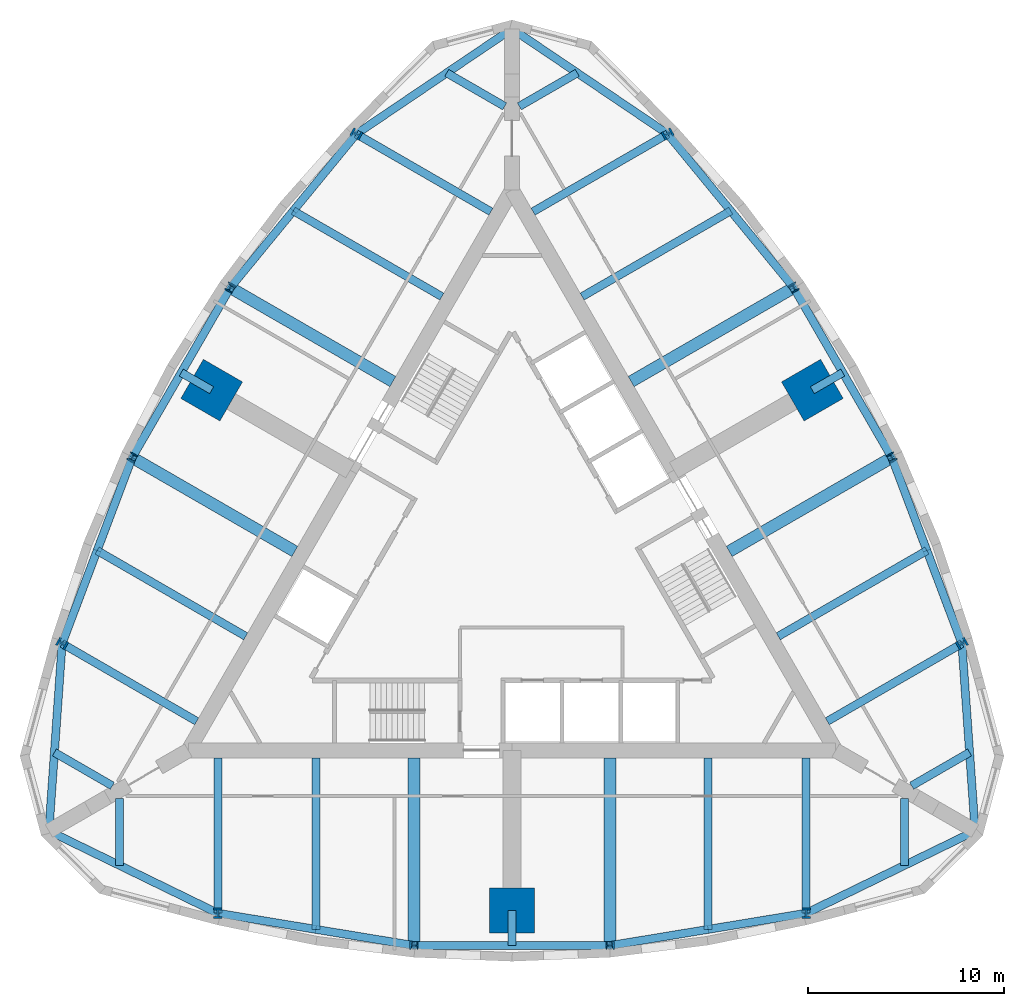
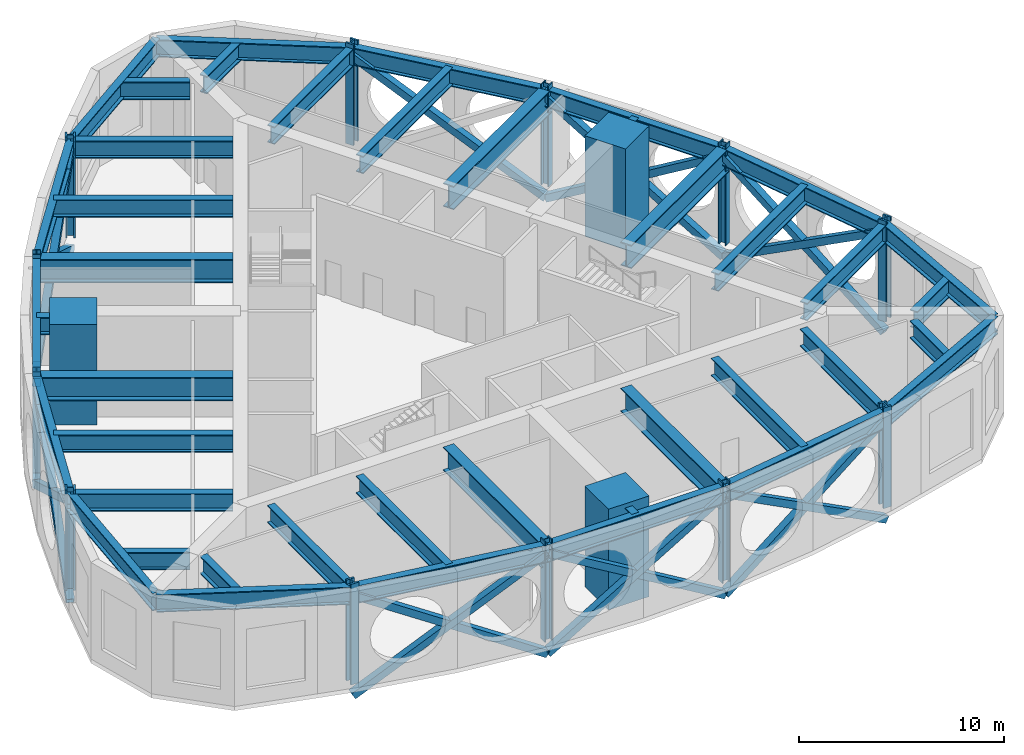
# One storey, part 1 of 7: 42 beams, 17 members, 15 columns.
"""IFC4 building model written with IfcOpenShell, lengths in metres."""

from ifc_helpers import new_model, si_unit, direction, frame, origin, origin_2d, place, context, subcontext, project, spatial, rectangle, hollow_rectangle, i_section, extrude, material, material_profile, profile_set, type_object, element, save


model = new_model("IFC4")

# Units and contexts
model_context = context("Model", 3, precision=1e-05, world=origin(), true_north=direction((0.0, 1.0)))
body_context = subcontext(model_context, "Body", "Model", "MODEL_VIEW")
ifc_project = project(units=[si_unit("LENGTHUNIT", "METRE"), si_unit("AREAUNIT", "SQUARE_METRE"), si_unit("VOLUMEUNIT", "CUBIC_METRE"), si_unit("PLANEANGLEUNIT", "RADIAN"), si_unit("MASSUNIT", "GRAM", prefix="KILO")], contexts=[model_context])

# Site, building, storey
site_placement = place(None, origin())
site = spatial("IfcSite", under=ifc_project, at=site_placement, CompositionType="ELEMENT")
building_placement = place(site_placement, origin())
building = spatial("IfcBuilding", under=site, at=building_placement, Name="Trikona Tower", CompositionType="ELEMENT")
storey_placement = place(building_placement, frame((0.0, 0.0, 233.300048828125)))
storey = spatial("IfcBuildingStorey", under=building, at=storey_placement, Name="L62", CompositionType="ELEMENT", Elevation=233.300048828125)

# Columns
ifc_material_1 = material(Name="Concrete f'c 10000 psi with encased steel section", Category="concrete")
ifc_material_profile_1 = material_profile(ifc_material_1, rectangle(XDim=2.300048828125, YDim=2.300048828125, at=origin_2d()), Name="MC2300")
ifc_profile_set_1 = profile_set([ifc_material_profile_1], Name="Concrete f'c 10000 psi with encased steel section")
column_type_1 = type_object("IfcColumnType", Name="Composite mega column 2300x2300", PredefinedType="COLUMN", material=ifc_profile_set_1)
for number, where, z_axis, x_axis, name in (
    (1, (0.0, -17.680419921875, 0.0), (0.0, 0.0, 1.0), (0.0, -1.0, 0.0), "Mega column MC1"),
    (2, (15.311767578125, 8.84033203125, 0.0), (0.0, 0.0, 1.0), (0.866025403784, 0.5, 0.0), "Mega column MC2"),
    (3, (-15.311767578125, 8.84033203125, 0.0), (0.0, 0.0, 1.0), (-0.866025403784, 0.5, 0.0), "Mega column MC3"),
):
    element("IfcColumn", number, at=place(storey_placement, frame(where, z_axis=z_axis, x_axis=x_axis)), inside=storey, type_object=column_type_1, Name=name, PredefinedType="COLUMN", context=body_context, shape_type="SweptSolid", body=[
        extrude(rectangle(XDim=2.300048828125, YDim=2.300048828125, at=origin_2d()), origin(), (0.0, 0.0, 1.0), 6.0),
    ])
ifc_material_2 = material(Name="Steel ASTM A992 Grade 50", Category="steel")
ifc_material_profile_2 = material_profile(ifc_material_2, i_section(OverallWidth=0.411376953125, OverallDepth=0.434326171875, WebThickness=0.035888671875, FlangeThickness=0.057373046875, at=origin_2d()), Name="W14X311")
ifc_profile_set_2 = profile_set([ifc_material_profile_2], Name="Steel ASTM A992 Grade 50")
column_type_2 = type_object("IfcColumnType", Name="Steel column W14x311", PredefinedType="COLUMN", material=ifc_profile_set_2)
for number, where, z_axis, x_axis, name in (
    (4, (-5.0, -19.471923828125, 0.0), (0.0, 0.0, 1.0), (0.0, -1.0, 0.0), "Column F0m5"),
    (5, (5.0, -19.471923828125, 0.0), (0.0, 0.0, 1.0), (0.0, -1.0, 0.0), "Column F0p5"),
    (6, (19.36328125, 5.406005859375, 0.0), (0.0, 0.0, 1.0), (0.866025403784, 0.5, 0.0), "Column F1m5"),
    (7, (14.36328125, 14.066162109375, 0.0), (0.0, 0.0, 1.0), (0.866025403784, 0.5, 0.0), "Column F1p5"),
    (8, (-14.36328125, 14.066162109375, 0.0), (0.0, 0.0, 1.0), (-0.866025403784, 0.5, 0.0), "Column F2m5"),
    (9, (-19.36328125, 5.406005859375, 0.0), (0.0, 0.0, 1.0), (-0.866025403784, 0.5, 0.0), "Column F2p5"),
):
    element("IfcColumn", number, at=place(storey_placement, frame(where, z_axis=z_axis, x_axis=x_axis)), inside=storey, type_object=column_type_2, Name=name, PredefinedType="COLUMN", context=body_context, shape_type="SweptSolid", body=[
        extrude(i_section(OverallWidth=0.411376953125, OverallDepth=0.434326171875, WebThickness=0.035888671875, FlangeThickness=0.057373046875, at=origin_2d()), origin(), (0.0, 0.0, 1.0), 6.0),
    ])
ifc_material_3 = material(Name="Steel ASTM A992 Grade 50", Category="steel")
ifc_material_profile_3 = material_profile(ifc_material_3, i_section(OverallWidth=0.44189453125, OverallDepth=0.53076171875, WebThickness=0.06591796875, FlangeThickness=0.105712890625, at=origin_2d()), Name="W14X605")
ifc_profile_set_3 = profile_set([ifc_material_profile_3], Name="Steel ASTM A992 Grade 50")
column_type_3 = type_object("IfcColumnType", Name="Steel column W14x605", PredefinedType="COLUMN", material=ifc_profile_set_3)
for number, where, z_axis, x_axis, name in (
    (10, (-15.0, -17.824951171875, 0.0), (0.0, 0.0, 1.0), (1.0, 0.0, 0.0), "Column F0m15"),
    (11, (15.0, -17.824951171875, 0.0), (0.0, 0.0, 1.0), (1.0, 0.0, 0.0), "Column F0p15"),
    (12, (22.936767578125, -4.077880859375, 0.0), (0.0, 0.0, 1.0), (-0.5, 0.866025403784, 0.0), "Column F1m15"),
    (13, (7.936767578125, 21.90283203125, 0.0), (0.0, 0.0, 1.0), (-0.5, 0.866025403784, 0.0), "Column F1p15"),
    (14, (-7.936767578125, 21.90283203125, 0.0), (0.0, 0.0, 1.0), (-0.5, -0.866025403784, 0.0), "Column F2m15"),
    (15, (-22.936767578125, -4.077880859375, 0.0), (0.0, 0.0, 1.0), (-0.5, -0.866025403784, 0.0), "Column F2p15"),
):
    element("IfcColumn", number, at=place(storey_placement, frame(where, z_axis=z_axis, x_axis=x_axis)), inside=storey, type_object=column_type_3, Name=name, PredefinedType="COLUMN", context=body_context, shape_type="SweptSolid", body=[
        extrude(i_section(OverallWidth=0.44189453125, OverallDepth=0.53076171875, WebThickness=0.06591796875, FlangeThickness=0.105712890625, at=origin_2d()), origin(), (0.0, 0.0, 1.0), 6.0),
    ])

# Members
ifc_material_4 = material(Name="Steel ASTM A500 Grade C", Category="steel")
ifc_material_profile_4 = material_profile(ifc_material_4, hollow_rectangle(XDim=0.406494140625, YDim=0.406494140625, WallThickness=0.0146484375, at=origin_2d()), Name="HSS16X16X5/8")
ifc_profile_set_4 = profile_set([ifc_material_profile_4], Name="Steel ASTM A500 Grade C")
member_type = type_object("IfcMemberType", Name="Belt truss diagonal HSS16x16x5/8", PredefinedType="BRACE", material=ifc_profile_set_4)
for number, where, z_axis, x_axis, name in (
    (16, (-15.0, -17.824951171875, -0.770751953125), (0.849067408619, -0.139839080531, 0.509440445172), (0.162507982575, 0.986707228918, 0.0), "Belt truss diagonal L62 F1-2a"),
    (17, (-5.0, -19.471923828125, -0.770751953125), (-0.849067408619, 0.139839080531, 0.509440445172), (-0.162507982575, -0.986707228918, 0.0), "Belt truss diagonal L62 F1-2b"),
):
    element("IfcMember", number, at=place(storey_placement, frame(where, z_axis=z_axis, x_axis=x_axis)), inside=storey, type_object=member_type, Name=name, PredefinedType="BRACE", context=body_context, shape_type="SweptSolid", body=[
        extrude(hollow_rectangle(XDim=0.406494140625, YDim=0.406494140625, WallThickness=0.0146484375, at=origin_2d()), origin(), (0.0, 0.0, 1.0), 11.777587890625),
    ])
for number, where, z_axis, x_axis, name in (
    (18, (-5.0, -19.471923828125, -0.770751953125), (0.857492925713, 0.0, 0.514495755428), (0.0, 1.0, 0.0), "Belt truss diagonal L62 F1-3a"),
    (19, (5.0, -19.471923828125, -0.770751953125), (-0.857492925713, 0.0, 0.514495755428), (0.0, -1.0, 0.0), "Belt truss diagonal L62 F1-3b"),
):
    element("IfcMember", number, at=place(storey_placement, frame(where, z_axis=z_axis, x_axis=x_axis)), inside=storey, type_object=member_type, Name=name, PredefinedType="BRACE", context=body_context, shape_type="SweptSolid", body=[
        extrude(hollow_rectangle(XDim=0.406494140625, YDim=0.406494140625, WallThickness=0.0146484375, at=origin_2d()), origin(), (0.0, 0.0, 1.0), 11.661865234375),
    ])
for number, where, z_axis, x_axis, name in (
    (20, (5.0, -19.471923828125, -0.770751953125), (0.849067408619, 0.139839080531, 0.509440445172), (-0.162507982575, 0.986707228918, 0.0), "Belt truss diagonal L62 F1-4a"),
    (21, (15.0, -17.824951171875, -0.770751953125), (-0.849067408619, -0.139839080531, 0.509440445172), (0.162507982575, -0.986707228918, 0.0), "Belt truss diagonal L62 F1-4b"),
    (22, (22.936767578125, -4.077880859375, -0.770751953125), (-0.303411554265, 0.805241869029, 0.509437887383), (-0.935775613283, -0.352596088442, 0.0), "Belt truss diagonal L62 F2-2a"),
    (23, (19.36328125, 5.406005859375, -0.770751953125), (0.303411554265, -0.805241869029, 0.509437887383), (0.935775613283, 0.352596088442, 0.0), "Belt truss diagonal L62 F2-2b"),
):
    element("IfcMember", number, at=place(storey_placement, frame(where, z_axis=z_axis, x_axis=x_axis)), inside=storey, type_object=member_type, Name=name, PredefinedType="BRACE", context=body_context, shape_type="SweptSolid", body=[
        extrude(hollow_rectangle(XDim=0.406494140625, YDim=0.406494140625, WallThickness=0.0146484375, at=origin_2d()), origin(), (0.0, 0.0, 1.0), 11.777587890625),
    ])
for number, where, z_axis, x_axis, name in (
    (24, (19.36328125, 5.406005859375, -0.770751953125), (-0.428749132656, 0.742606896171, 0.514498959188), (-0.866022959057, -0.500004234368, 0.0), "Belt truss diagonal L62 F2-3a"),
    (25, (14.36328125, 14.066162109375, -0.770751953125), (0.428749132656, -0.742606896171, 0.514498959188), (0.866022959057, 0.500004234368, 0.0), "Belt truss diagonal L62 F2-3b"),
):
    element("IfcMember", number, at=place(storey_placement, frame(where, z_axis=z_axis, x_axis=x_axis)), inside=storey, type_object=member_type, Name=name, PredefinedType="BRACE", context=body_context, shape_type="SweptSolid", body=[
        extrude(hollow_rectangle(XDim=0.406494140625, YDim=0.406494140625, WallThickness=0.0146484375, at=origin_2d()), origin(), (0.0, 0.0, 1.0), 11.661865234375),
    ])
for number, where, z_axis, x_axis, name in (
    (26, (14.36328125, 14.066162109375, -0.770751953125), (-0.545652453615, 0.665383812961, 0.5094386924), (-0.77324629337, -0.634105803308, 0.0), "Belt truss diagonal L62 F2-4a"),
    (27, (-7.936767578125, 21.90283203125, -0.770751953125), (-0.545652453615, -0.665383812961, 0.5094386924), (0.77324629337, -0.634105803308, 0.0), "Belt truss diagonal L62 F3-2a"),
    (28, (-14.36328125, 14.066162109375, -0.770751953125), (0.545652453615, 0.665383812961, 0.5094386924), (-0.77324629337, 0.634105803308, 0.0), "Belt truss diagonal L62 F3-2b"),
):
    element("IfcMember", number, at=place(storey_placement, frame(where, z_axis=z_axis, x_axis=x_axis)), inside=storey, type_object=member_type, Name=name, PredefinedType="BRACE", context=body_context, shape_type="SweptSolid", body=[
        extrude(hollow_rectangle(XDim=0.406494140625, YDim=0.406494140625, WallThickness=0.0146484375, at=origin_2d()), origin(), (0.0, 0.0, 1.0), 11.777587890625),
    ])
for number, where, z_axis, x_axis, name in (
    (29, (-14.36328125, 14.066162109375, -0.770751953125), (-0.428749132656, -0.742606896171, 0.514498959188), (0.866022959057, -0.500004234368, 0.0), "Belt truss diagonal L62 F3-3a"),
    (30, (-19.36328125, 5.406005859375, -0.770751953125), (0.428749132656, 0.742606896171, 0.514498959188), (-0.866022959057, 0.500004234368, 0.0), "Belt truss diagonal L62 F3-3b"),
):
    element("IfcMember", number, at=place(storey_placement, frame(where, z_axis=z_axis, x_axis=x_axis)), inside=storey, type_object=member_type, Name=name, PredefinedType="BRACE", context=body_context, shape_type="SweptSolid", body=[
        extrude(hollow_rectangle(XDim=0.406494140625, YDim=0.406494140625, WallThickness=0.0146484375, at=origin_2d()), origin(), (0.0, 0.0, 1.0), 11.661865234375),
    ])
for number, where, z_axis, x_axis, name in (
    (31, (-19.36328125, 5.406005859375, -0.770751953125), (-0.303411554265, -0.805241869029, 0.509437887383), (0.935775613283, -0.352596088442, 0.0), "Belt truss diagonal L62 F3-4a"),
    (32, (-22.936767578125, -4.077880859375, -0.770751953125), (0.303411554265, 0.805241869029, 0.509437887383), (-0.935775613283, 0.352596088442, 0.0), "Belt truss diagonal L62 F3-4b"),
):
    element("IfcMember", number, at=place(storey_placement, frame(where, z_axis=z_axis, x_axis=x_axis)), inside=storey, type_object=member_type, Name=name, PredefinedType="BRACE", context=body_context, shape_type="SweptSolid", body=[
        extrude(hollow_rectangle(XDim=0.406494140625, YDim=0.406494140625, WallThickness=0.0146484375, at=origin_2d()), origin(), (0.0, 0.0, 1.0), 11.777587890625),
    ])

# Beams
ifc_material_5 = material(Name="Steel ASTM A992 Grade 50", Category="steel")
ifc_material_profile_5 = material_profile(ifc_material_5, i_section(OverallWidth=0.60009765625, OverallDepth=1.39990234375, WebThickness=0.044921875, FlangeThickness=0.06005859375, at=origin_2d()), Name="PG1400X600")
ifc_profile_set_5 = profile_set([ifc_material_profile_5], Name="Steel ASTM A992 Grade 50")
beam_type_1 = type_object("IfcBeamType", Name="Steel beam PG1400x600 (transfer)", PredefinedType="USERDEFINED", material=ifc_profile_set_5)
for number, where, z_axis, x_axis, name in (
    (33, (-5.0, -9.9013671875, 5.050048828125), (0.0, -1.0, 0.0), (1.0, 0.0, 0.0), "Transfer girder L63 F1 u-5"),
    (34, (5.0, -9.9013671875, 5.050048828125), (0.0, -1.0, 0.0), (1.0, 0.0, 0.0), "Transfer girder L63 F1 u5"),
):
    element("IfcBeam", number, at=place(storey_placement, frame(where, z_axis=z_axis, x_axis=x_axis)), inside=storey, type_object=beam_type_1, Name=name, ObjectType="TRANSFER GIRDER", PredefinedType="USERDEFINED", context=body_context, shape_type="SweptSolid", body=[
        extrude(i_section(OverallWidth=0.60009765625, OverallDepth=1.39990234375, WebThickness=0.044921875, FlangeThickness=0.06005859375, at=origin_2d()), origin(), (0.0, 0.0, 1.0), 9.570556640625),
    ])
for number, where, z_axis, x_axis, name in (
    (35, (11.07470703125, 0.62060546875, 5.050048828125), (0.866025863714, 0.499999203377, 0.0), (-0.499999203377, 0.866025863714, 0.0), "Transfer girder L63 F2 u-5"),
    (36, (6.07470703125, 9.28076171875, 5.050048828125), (0.866025863714, 0.499999203377, 0.0), (-0.499999203377, 0.866025863714, 0.0), "Transfer girder L63 F2 u5"),
    (37, (-6.07470703125, 9.28076171875, 5.050048828125), (-0.866025863714, 0.499999203377, 0.0), (-0.499999203377, -0.866025863714, 0.0), "Transfer girder L63 F3 u-5"),
    (38, (-11.07470703125, 0.62060546875, 5.050048828125), (-0.866025863714, 0.499999203377, 0.0), (-0.499999203377, -0.866025863714, 0.0), "Transfer girder L63 F3 u5"),
):
    element("IfcBeam", number, at=place(storey_placement, frame(where, z_axis=z_axis, x_axis=x_axis)), inside=storey, type_object=beam_type_1, Name=name, ObjectType="TRANSFER GIRDER", PredefinedType="USERDEFINED", context=body_context, shape_type="SweptSolid", body=[
        extrude(i_section(OverallWidth=0.60009765625, OverallDepth=1.39990234375, WebThickness=0.044921875, FlangeThickness=0.06005859375, at=origin_2d()), origin(), (0.0, 0.0, 1.0), 9.57080078125),
    ])
ifc_material_6 = material(Name="Steel ASTM A992 Grade 50", Category="steel")
ifc_material_profile_6 = material_profile(ifc_material_6, i_section(OverallWidth=0.408935546875, OverallDepth=1.04150390625, WebThickness=0.031005859375, FlangeThickness=0.055908203125, at=origin_2d()), Name="W40X397")
ifc_profile_set_6 = profile_set([ifc_material_profile_6], Name="Steel ASTM A992 Grade 50")
beam_type_2 = type_object("IfcBeamType", Name="Steel beam W40x397 (plant spandrel)", PredefinedType="SPANDREL", material=ifc_profile_set_6)
beam_1_placement = place(storey_placement, frame((-23.6103515625, -13.63134765625, 5.229248046875), z_axis=(0.899038503257, -0.437869580652, 0.0), x_axis=(0.437869580652, 0.899038503257, 0.0)))
element("IfcBeam", 39, at=beam_1_placement, inside=storey, type_object=beam_type_2, Name="Spandrel beam L63 F1-1", PredefinedType="SPANDREL", context=body_context, shape_type="SweptSolid", body=[
    extrude(i_section(OverallWidth=0.408935546875, OverallDepth=1.04150390625, WebThickness=0.031005859375, FlangeThickness=0.055908203125, at=origin_2d()), origin(), (0.0, 0.0, 1.0), 9.577392578125),
])
beam_2_placement = place(storey_placement, frame((-15.0, -17.824951171875, 5.229248046875), z_axis=(0.986707228918, -0.162507982575, 0.0), x_axis=(0.162507982575, 0.986707228918, 0.0)))
element("IfcBeam", 40, at=beam_2_placement, inside=storey, type_object=beam_type_2, Name="Spandrel beam L63 F1-2", PredefinedType="SPANDREL", context=body_context, shape_type="SweptSolid", body=[
    extrude(i_section(OverallWidth=0.408935546875, OverallDepth=1.04150390625, WebThickness=0.031005859375, FlangeThickness=0.055908203125, at=origin_2d()), origin(), (0.0, 0.0, 1.0), 10.134765625),
])
beam_3_placement = place(storey_placement, frame((-5.0, -19.471923828125, 5.229248046875), z_axis=(1.0, 0.0, 0.0), x_axis=(0.0, 1.0, 0.0)))
element("IfcBeam", 41, at=beam_3_placement, inside=storey, type_object=beam_type_2, Name="Spandrel beam L63 F1-3", PredefinedType="SPANDREL", context=body_context, shape_type="SweptSolid", body=[
    extrude(i_section(OverallWidth=0.408935546875, OverallDepth=1.04150390625, WebThickness=0.031005859375, FlangeThickness=0.055908203125, at=origin_2d()), origin(), (0.0, 0.0, 1.0), 10.0),
])
beam_4_placement = place(storey_placement, frame((5.0, -19.471923828125, 5.229248046875), z_axis=(0.986707228918, 0.162507982575, 0.0), x_axis=(-0.162507982575, 0.986707228918, 0.0)))
element("IfcBeam", 42, at=beam_4_placement, inside=storey, type_object=beam_type_2, Name="Spandrel beam L63 F1-4", PredefinedType="SPANDREL", context=body_context, shape_type="SweptSolid", body=[
    extrude(i_section(OverallWidth=0.408935546875, OverallDepth=1.04150390625, WebThickness=0.031005859375, FlangeThickness=0.055908203125, at=origin_2d()), origin(), (0.0, 0.0, 1.0), 10.134765625),
])
beam_5_placement = place(storey_placement, frame((15.0, -17.824951171875, 5.229248046875), z_axis=(0.899038503257, 0.437869580652, 0.0), x_axis=(-0.437869580652, 0.899038503257, 0.0)))
element("IfcBeam", 43, at=beam_5_placement, inside=storey, type_object=beam_type_2, Name="Spandrel beam L63 F1-5", PredefinedType="SPANDREL", context=body_context, shape_type="SweptSolid", body=[
    extrude(i_section(OverallWidth=0.408935546875, OverallDepth=1.04150390625, WebThickness=0.031005859375, FlangeThickness=0.055908203125, at=origin_2d()), origin(), (0.0, 0.0, 1.0), 9.577392578125),
])
beam_6_placement = place(storey_placement, frame((23.6103515625, -13.63134765625, 5.229248046875), z_axis=(-0.07033215835, 0.997523627541, 0.0), x_axis=(-0.997523627541, -0.07033215835, 0.0)))
element("IfcBeam", 44, at=beam_6_placement, inside=storey, type_object=beam_type_2, Name="Spandrel beam L63 F2-1", PredefinedType="SPANDREL", context=body_context, shape_type="SweptSolid", body=[
    extrude(i_section(OverallWidth=0.408935546875, OverallDepth=1.04150390625, WebThickness=0.031005859375, FlangeThickness=0.055908203125, at=origin_2d()), origin(), (0.0, 0.0, 1.0), 9.5771484375),
])
beam_7_placement = place(storey_placement, frame((22.936767578125, -4.077880859375, 5.229248046875), z_axis=(-0.352596088442, 0.935775613283, 0.0), x_axis=(-0.935775613283, -0.352596088442, 0.0)))
element("IfcBeam", 45, at=beam_7_placement, inside=storey, type_object=beam_type_2, Name="Spandrel beam L63 F2-2", PredefinedType="SPANDREL", context=body_context, shape_type="SweptSolid", body=[
    extrude(i_section(OverallWidth=0.408935546875, OverallDepth=1.04150390625, WebThickness=0.031005859375, FlangeThickness=0.055908203125, at=origin_2d()), origin(), (0.0, 0.0, 1.0), 10.134765625),
])
beam_8_placement = place(storey_placement, frame((19.36328125, 5.406005859375, 5.229248046875), z_axis=(-0.500004234368, 0.866022959057, 0.0), x_axis=(-0.866022959057, -0.500004234368, 0.0)))
element("IfcBeam", 46, at=beam_8_placement, inside=storey, type_object=beam_type_2, Name="Spandrel beam L63 F2-3", PredefinedType="SPANDREL", context=body_context, shape_type="SweptSolid", body=[
    extrude(i_section(OverallWidth=0.408935546875, OverallDepth=1.04150390625, WebThickness=0.031005859375, FlangeThickness=0.055908203125, at=origin_2d()), origin(), (0.0, 0.0, 1.0), 10.0),
])
beam_9_placement = place(storey_placement, frame((14.36328125, 14.066162109375, 5.229248046875), z_axis=(-0.634105803308, 0.77324629337, 0.0), x_axis=(-0.77324629337, -0.634105803308, 0.0)))
element("IfcBeam", 47, at=beam_9_placement, inside=storey, type_object=beam_type_2, Name="Spandrel beam L63 F2-4", PredefinedType="SPANDREL", context=body_context, shape_type="SweptSolid", body=[
    extrude(i_section(OverallWidth=0.408935546875, OverallDepth=1.04150390625, WebThickness=0.031005859375, FlangeThickness=0.055908203125, at=origin_2d()), origin(), (0.0, 0.0, 1.0), 10.134765625),
])
for number, where, z_axis, x_axis, name in (
    (48, (7.936767578125, 21.90283203125, 5.229248046875), (-0.828725418029, 0.55965541319, 0.0), (-0.55965541319, -0.828725418029, 0.0), "Spandrel beam L63 F2-5"),
    (49, (0.0, 27.2626953125, 5.229248046875), (-0.828725418029, -0.55965541319, 0.0), (0.55965541319, -0.828725418029, 0.0), "Spandrel beam L63 F3-1"),
):
    element("IfcBeam", number, at=place(storey_placement, frame(where, z_axis=z_axis, x_axis=x_axis)), inside=storey, type_object=beam_type_2, Name=name, PredefinedType="SPANDREL", context=body_context, shape_type="SweptSolid", body=[
        extrude(i_section(OverallWidth=0.408935546875, OverallDepth=1.04150390625, WebThickness=0.031005859375, FlangeThickness=0.055908203125, at=origin_2d()), origin(), (0.0, 0.0, 1.0), 9.5771484375),
    ])
beam_10_placement = place(storey_placement, frame((-7.936767578125, 21.90283203125, 5.229248046875), z_axis=(-0.634105803308, -0.77324629337, 0.0), x_axis=(0.77324629337, -0.634105803308, 0.0)))
element("IfcBeam", 50, at=beam_10_placement, inside=storey, type_object=beam_type_2, Name="Spandrel beam L63 F3-2", PredefinedType="SPANDREL", context=body_context, shape_type="SweptSolid", body=[
    extrude(i_section(OverallWidth=0.408935546875, OverallDepth=1.04150390625, WebThickness=0.031005859375, FlangeThickness=0.055908203125, at=origin_2d()), origin(), (0.0, 0.0, 1.0), 10.134765625),
])
beam_11_placement = place(storey_placement, frame((-14.36328125, 14.066162109375, 5.229248046875), z_axis=(-0.500004234368, -0.866022959057, 0.0), x_axis=(0.866022959057, -0.500004234368, 0.0)))
element("IfcBeam", 51, at=beam_11_placement, inside=storey, type_object=beam_type_2, Name="Spandrel beam L63 F3-3", PredefinedType="SPANDREL", context=body_context, shape_type="SweptSolid", body=[
    extrude(i_section(OverallWidth=0.408935546875, OverallDepth=1.04150390625, WebThickness=0.031005859375, FlangeThickness=0.055908203125, at=origin_2d()), origin(), (0.0, 0.0, 1.0), 10.0),
])
beam_12_placement = place(storey_placement, frame((-19.36328125, 5.406005859375, 5.229248046875), z_axis=(-0.352596088442, -0.935775613283, 0.0), x_axis=(0.935775613283, -0.352596088442, 0.0)))
element("IfcBeam", 52, at=beam_12_placement, inside=storey, type_object=beam_type_2, Name="Spandrel beam L63 F3-4", PredefinedType="SPANDREL", context=body_context, shape_type="SweptSolid", body=[
    extrude(i_section(OverallWidth=0.408935546875, OverallDepth=1.04150390625, WebThickness=0.031005859375, FlangeThickness=0.055908203125, at=origin_2d()), origin(), (0.0, 0.0, 1.0), 10.134765625),
])
beam_13_placement = place(storey_placement, frame((-22.936767578125, -4.077880859375, 5.229248046875), z_axis=(-0.07033215835, -0.997523627541, 0.0), x_axis=(0.997523627541, -0.07033215835, 0.0)))
element("IfcBeam", 53, at=beam_13_placement, inside=storey, type_object=beam_type_2, Name="Spandrel beam L63 F3-5", PredefinedType="SPANDREL", context=body_context, shape_type="SweptSolid", body=[
    extrude(i_section(OverallWidth=0.408935546875, OverallDepth=1.04150390625, WebThickness=0.031005859375, FlangeThickness=0.055908203125, at=origin_2d()), origin(), (0.0, 0.0, 1.0), 9.5771484375),
])
ifc_material_7 = material(Name="Steel ASTM A992 Grade 50", Category="steel")
ifc_material_profile_7 = material_profile(ifc_material_7, i_section(OverallWidth=0.408935546875, OverallDepth=1.04150390625, WebThickness=0.031005859375, FlangeThickness=0.055908203125, at=origin_2d()), Name="W40X397")
ifc_profile_set_7 = profile_set([ifc_material_profile_7], Name="Steel ASTM A992 Grade 50")
beam_type_3 = type_object("IfcBeamType", Name="Steel beam W40x397 (plant)", PredefinedType="BEAM", material=ifc_profile_set_7)
beam_14_placement = place(storey_placement, frame((-15.0, -9.9013671875, 5.229248046875), z_axis=(0.0, -1.0, 0.0), x_axis=(1.0, 0.0, 0.0)))
element("IfcBeam", 54, at=beam_14_placement, inside=storey, type_object=beam_type_3, Name="Floor beam L63 F1 u-15", PredefinedType="BEAM", context=body_context, shape_type="SweptSolid", body=[
    extrude(i_section(OverallWidth=0.408935546875, OverallDepth=1.04150390625, WebThickness=0.031005859375, FlangeThickness=0.055908203125, at=origin_2d()), origin(), (0.0, 0.0, 1.0), 7.923583984375),
])
beam_15_placement = place(storey_placement, frame((-10.0, -9.9013671875, 5.229248046875), z_axis=(0.0, -1.0, 0.0), x_axis=(1.0, 0.0, 0.0)))
element("IfcBeam", 55, at=beam_15_placement, inside=storey, type_object=beam_type_3, Name="Floor beam L63 F1 u-10", PredefinedType="BEAM", context=body_context, shape_type="SweptSolid", body=[
    extrude(i_section(OverallWidth=0.408935546875, OverallDepth=1.04150390625, WebThickness=0.031005859375, FlangeThickness=0.055908203125, at=origin_2d()), origin(), (0.0, 0.0, 1.0), 8.7470703125),
])
beam_16_placement = place(storey_placement, frame((0.0, -17.680419921875, 5.229248046875), z_axis=(0.0, -1.0, 0.0), x_axis=(1.0, 0.0, 0.0)))
element("IfcBeam", 56, at=beam_16_placement, inside=storey, type_object=beam_type_3, Name="Floor beam L63 F1 u0", PredefinedType="BEAM", context=body_context, shape_type="SweptSolid", body=[
    extrude(i_section(OverallWidth=0.408935546875, OverallDepth=1.04150390625, WebThickness=0.031005859375, FlangeThickness=0.055908203125, at=origin_2d()), origin(), (0.0, 0.0, 1.0), 1.79150390625),
])
beam_17_placement = place(storey_placement, frame((10.0, -9.9013671875, 5.229248046875), z_axis=(0.0, -1.0, 0.0), x_axis=(1.0, 0.0, 0.0)))
element("IfcBeam", 57, at=beam_17_placement, inside=storey, type_object=beam_type_3, Name="Floor beam L63 F1 u10", PredefinedType="BEAM", context=body_context, shape_type="SweptSolid", body=[
    extrude(i_section(OverallWidth=0.408935546875, OverallDepth=1.04150390625, WebThickness=0.031005859375, FlangeThickness=0.055908203125, at=origin_2d()), origin(), (0.0, 0.0, 1.0), 8.7470703125),
])
for number, where, z_axis, x_axis, name in (
    (58, (15.0, -9.9013671875, 5.229248046875), (0.0, -1.0, 0.0), (1.0, 0.0, 0.0), "Floor beam L63 F1 u15"),
    (59, (16.07470703125, -8.039794921875, 5.229248046875), (0.866019853763, 0.500009612796, 0.0), (-0.500009612796, 0.866019853763, 0.0), "Floor beam L63 F2 u-15"),
):
    element("IfcBeam", number, at=place(storey_placement, frame(where, z_axis=z_axis, x_axis=x_axis)), inside=storey, type_object=beam_type_3, Name=name, PredefinedType="BEAM", context=body_context, shape_type="SweptSolid", body=[
        extrude(i_section(OverallWidth=0.408935546875, OverallDepth=1.04150390625, WebThickness=0.031005859375, FlangeThickness=0.055908203125, at=origin_2d()), origin(), (0.0, 0.0, 1.0), 7.923583984375),
    ])
beam_18_placement = place(storey_placement, frame((13.57470703125, -3.709716796875, 5.229248046875), z_axis=(0.866013609749, 0.500020427312, 0.0), x_axis=(-0.500020427312, 0.866013609749, 0.0)))
element("IfcBeam", 60, at=beam_18_placement, inside=storey, type_object=beam_type_3, Name="Floor beam L63 F2 u-10", PredefinedType="BEAM", context=body_context, shape_type="SweptSolid", body=[
    extrude(i_section(OverallWidth=0.408935546875, OverallDepth=1.04150390625, WebThickness=0.031005859375, FlangeThickness=0.055908203125, at=origin_2d()), origin(), (0.0, 0.0, 1.0), 8.747314453125),
])
beam_19_placement = place(storey_placement, frame((15.311767578125, 8.84033203125, 5.229248046875), z_axis=(0.866029000986, 0.499993769413, 0.0), x_axis=(-0.499993769413, 0.866029000986, 0.0)))
element("IfcBeam", 61, at=beam_19_placement, inside=storey, type_object=beam_type_3, Name="Floor beam L63 F2 u0", PredefinedType="BEAM", context=body_context, shape_type="SweptSolid", body=[
    extrude(i_section(OverallWidth=0.408935546875, OverallDepth=1.04150390625, WebThickness=0.031005859375, FlangeThickness=0.055908203125, at=origin_2d()), origin(), (0.0, 0.0, 1.0), 1.79150390625),
])
beam_20_placement = place(storey_placement, frame((3.57470703125, 13.61083984375, 5.229248046875), z_axis=(0.866013609749, 0.500020427312, 0.0), x_axis=(-0.500020427312, 0.866013609749, 0.0)))
element("IfcBeam", 62, at=beam_20_placement, inside=storey, type_object=beam_type_3, Name="Floor beam L63 F2 u10", PredefinedType="BEAM", context=body_context, shape_type="SweptSolid", body=[
    extrude(i_section(OverallWidth=0.408935546875, OverallDepth=1.04150390625, WebThickness=0.031005859375, FlangeThickness=0.055908203125, at=origin_2d()), origin(), (0.0, 0.0, 1.0), 8.747314453125),
])
for number, where, z_axis, x_axis, name in (
    (63, (1.07470703125, 17.94091796875, 5.229248046875), (0.866019853763, 0.500009612796, 0.0), (-0.500009612796, 0.866019853763, 0.0), "Floor beam L63 F2 u15"),
    (64, (-1.07470703125, 17.94091796875, 5.229248046875), (-0.866019853763, 0.500009612796, 0.0), (-0.500009612796, -0.866019853763, 0.0), "Floor beam L63 F3 u-15"),
):
    element("IfcBeam", number, at=place(storey_placement, frame(where, z_axis=z_axis, x_axis=x_axis)), inside=storey, type_object=beam_type_3, Name=name, PredefinedType="BEAM", context=body_context, shape_type="SweptSolid", body=[
        extrude(i_section(OverallWidth=0.408935546875, OverallDepth=1.04150390625, WebThickness=0.031005859375, FlangeThickness=0.055908203125, at=origin_2d()), origin(), (0.0, 0.0, 1.0), 7.923583984375),
    ])
beam_21_placement = place(storey_placement, frame((-3.57470703125, 13.61083984375, 5.229248046875), z_axis=(-0.866013609749, 0.500020427312, 0.0), x_axis=(-0.500020427312, -0.866013609749, 0.0)))
element("IfcBeam", 65, at=beam_21_placement, inside=storey, type_object=beam_type_3, Name="Floor beam L63 F3 u-10", PredefinedType="BEAM", context=body_context, shape_type="SweptSolid", body=[
    extrude(i_section(OverallWidth=0.408935546875, OverallDepth=1.04150390625, WebThickness=0.031005859375, FlangeThickness=0.055908203125, at=origin_2d()), origin(), (0.0, 0.0, 1.0), 8.747314453125),
])
beam_22_placement = place(storey_placement, frame((-15.311767578125, 8.84033203125, 5.229248046875), z_axis=(-0.866029000986, 0.499993769413, 0.0), x_axis=(-0.499993769413, -0.866029000986, 0.0)))
element("IfcBeam", 66, at=beam_22_placement, inside=storey, type_object=beam_type_3, Name="Floor beam L63 F3 u0", PredefinedType="BEAM", context=body_context, shape_type="SweptSolid", body=[
    extrude(i_section(OverallWidth=0.408935546875, OverallDepth=1.04150390625, WebThickness=0.031005859375, FlangeThickness=0.055908203125, at=origin_2d()), origin(), (0.0, 0.0, 1.0), 1.79150390625),
])
beam_23_placement = place(storey_placement, frame((-13.57470703125, -3.709716796875, 5.229248046875), z_axis=(-0.866013609749, 0.500020427312, 0.0), x_axis=(-0.500020427312, -0.866013609749, 0.0)))
element("IfcBeam", 67, at=beam_23_placement, inside=storey, type_object=beam_type_3, Name="Floor beam L63 F3 u10", PredefinedType="BEAM", context=body_context, shape_type="SweptSolid", body=[
    extrude(i_section(OverallWidth=0.408935546875, OverallDepth=1.04150390625, WebThickness=0.031005859375, FlangeThickness=0.055908203125, at=origin_2d()), origin(), (0.0, 0.0, 1.0), 8.747314453125),
])
beam_24_placement = place(storey_placement, frame((-16.07470703125, -8.039794921875, 5.229248046875), z_axis=(-0.866019853763, 0.500009612796, 0.0), x_axis=(-0.500009612796, -0.866019853763, 0.0)))
element("IfcBeam", 68, at=beam_24_placement, inside=storey, type_object=beam_type_3, Name="Floor beam L63 F3 u15", PredefinedType="BEAM", context=body_context, shape_type="SweptSolid", body=[
    extrude(i_section(OverallWidth=0.408935546875, OverallDepth=1.04150390625, WebThickness=0.031005859375, FlangeThickness=0.055908203125, at=origin_2d()), origin(), (0.0, 0.0, 1.0), 7.923583984375),
])
ifc_material_8 = material(Name="Steel ASTM A992 Grade 50", Category="steel")
ifc_material_profile_8 = material_profile(ifc_material_8, i_section(OverallWidth=0.411376953125, OverallDepth=1.049072265625, WebThickness=0.033935546875, FlangeThickness=0.06005859375, at=origin_2d()), Name="W40X431")
ifc_profile_set_8 = profile_set([ifc_material_profile_8], Name="Steel ASTM A992 Grade 50")
beam_type_4 = type_object("IfcBeamType", Name="Steel beam W40x431 (plant wedge)", PredefinedType="BEAM", material=ifc_profile_set_8)
for number, where, z_axis, x_axis, name in (
    (69, (-20.0, -11.97998046875, 5.225341796875), (0.0, -1.0, 0.0), (1.0, 0.0, 0.0), "Floor beam L63 F1 u-20"),
    (70, (20.0, -11.97998046875, 5.225341796875), (0.0, -1.0, 0.0), (1.0, 0.0, 0.0), "Floor beam L63 F1 u20"),
):
    element("IfcBeam", number, at=place(storey_placement, frame(where, z_axis=z_axis, x_axis=x_axis)), inside=storey, type_object=beam_type_4, Name=name, PredefinedType="BEAM", context=body_context, shape_type="SweptSolid", body=[
        extrude(i_section(OverallWidth=0.411376953125, OverallDepth=1.049072265625, WebThickness=0.033935546875, FlangeThickness=0.06005859375, at=origin_2d()), origin(), (0.0, 0.0, 1.0), 3.40966796875),
    ])
beam_25_placement = place(storey_placement, frame((20.375, -11.33056640625, 5.225341796875), z_axis=(0.865995995653, 0.500050932918, 0.0), x_axis=(-0.500050932918, 0.865995995653, 0.0)))
element("IfcBeam", 71, at=beam_25_placement, inside=storey, type_object=beam_type_4, Name="Floor beam L63 F2 u-20", PredefinedType="BEAM", context=body_context, shape_type="SweptSolid", body=[
    extrude(i_section(OverallWidth=0.411376953125, OverallDepth=1.049072265625, WebThickness=0.033935546875, FlangeThickness=0.06005859375, at=origin_2d()), origin(), (0.0, 0.0, 1.0), 3.409912109375),
])
for number, where, z_axis, x_axis, name in (
    (72, (0.375, 23.310546875, 5.225341796875), (0.866027000698, 0.499997234054, 0.0), (-0.499997234054, 0.866027000698, 0.0), "Floor beam L63 F2 u20"),
    (73, (-0.375, 23.310546875, 5.225341796875), (-0.866027000698, 0.499997234054, 0.0), (-0.499997234054, -0.866027000698, 0.0), "Floor beam L63 F3 u-20"),
):
    element("IfcBeam", number, at=place(storey_placement, frame(where, z_axis=z_axis, x_axis=x_axis)), inside=storey, type_object=beam_type_4, Name=name, PredefinedType="BEAM", context=body_context, shape_type="SweptSolid", body=[
        extrude(i_section(OverallWidth=0.411376953125, OverallDepth=1.049072265625, WebThickness=0.033935546875, FlangeThickness=0.06005859375, at=origin_2d()), origin(), (0.0, 0.0, 1.0), 3.40966796875),
    ])
beam_26_placement = place(storey_placement, frame((-20.375, -11.33056640625, 5.225341796875), z_axis=(-0.865995995653, 0.500050932918, 0.0), x_axis=(-0.500050932918, -0.865995995653, 0.0)))
element("IfcBeam", 74, at=beam_26_placement, inside=storey, type_object=beam_type_4, Name="Floor beam L63 F3 u20", PredefinedType="BEAM", context=body_context, shape_type="SweptSolid", body=[
    extrude(i_section(OverallWidth=0.411376953125, OverallDepth=1.049072265625, WebThickness=0.033935546875, FlangeThickness=0.06005859375, at=origin_2d()), origin(), (0.0, 0.0, 1.0), 3.409912109375),
])

save(model, "model.ifc")
